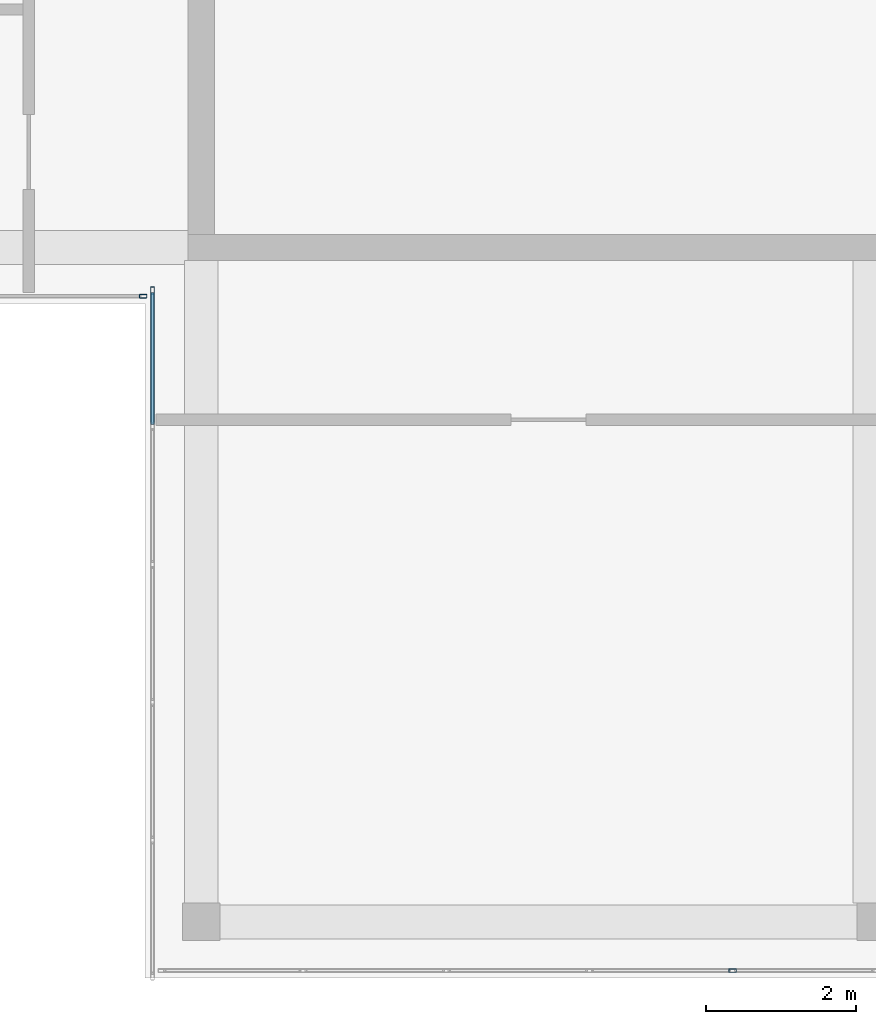
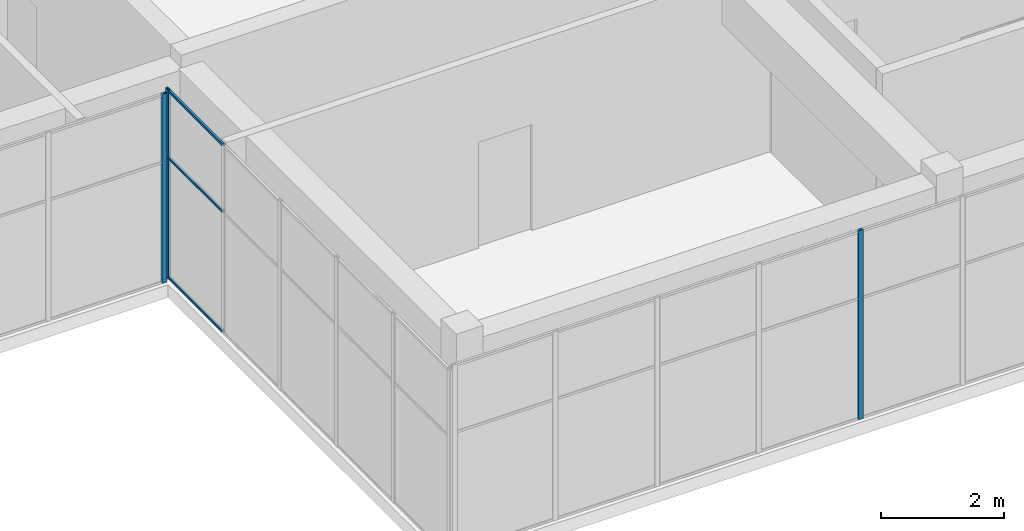
# One storey, part 6 of 34: 6 members, 3 elements without a shape of their own.
"""IFC4 building model written with IfcOpenShell, lengths in metres."""

from ifc_helpers import new_model, si_unit, direction, frame, origin, origin_2d, place, context, subcontext, project, spatial, hollow_rectangle, extrude, material, layer, layer_set, material_profile, profile_set, type_object, element, aggregate, save


model = new_model("IFC4")

# Units and contexts
model_context = context("Model", 3, precision=1e-05, world=origin(), true_north=direction((0.0, 1.0)))
body_context = subcontext(model_context, "Body", "Model", "MODEL_VIEW")
ifc_project = project(units=[si_unit("LENGTHUNIT", "METRE"), si_unit("AREAUNIT", "SQUARE_METRE"), si_unit("VOLUMEUNIT", "CUBIC_METRE"), si_unit("PLANEANGLEUNIT", "RADIAN"), si_unit("MASSUNIT", "GRAM", prefix="KILO")], contexts=[model_context])

# Site, building, storey
site_placement = place(None, origin())
site = spatial("IfcSite", under=ifc_project, at=site_placement, CompositionType="ELEMENT")
building_placement = place(site_placement, origin())
building = spatial("IfcBuilding", under=site, at=building_placement, Name="Tuart Plaza Theatre", CompositionType="ELEMENT")
storey_placement = place(building_placement, frame((0.0, 0.0, 57.5)))
storey = spatial("IfcBuildingStorey", under=building, at=storey_placement, Name="L14", CompositionType="ELEMENT", Elevation=57.5)

# Curtain wall, member
ifc_material_1 = material(Name="Aluminium and glass", Category="aluminium")
ifc_layer = layer(ifc_material_1, 0.10009765625)
ifc_layer_set = layer_set([ifc_layer], Name="CURTAIN WALL 2000 module")
curtain_wall_type = type_object("IfcCurtainWallType", Name="CURTAIN WALL 2000 module", PredefinedType="NOTDEFINED", material=ifc_layer_set)
curtain_wall_1_placement = place(storey_placement, origin())
curtain_wall_1 = element("IfcCurtainWall", 1, at=curtain_wall_1_placement, inside=storey, type_object=curtain_wall_type, Name="CW120", PredefinedType="NOTDEFINED")
ifc_material_2 = material(Name="Aluminium 6063-T5", Category="aluminium")
ifc_material_profile_1 = material_profile(ifc_material_2, hollow_rectangle(XDim=0.050048828125, YDim=0.10009765625, WallThickness=0.00390625, InnerFilletRadius=0.00390625, OuterFilletRadius=0.008056640625, at=origin_2d()), Name="RHS 100x50x4")
ifc_profile_set_1 = profile_set([ifc_material_profile_1], Name="Aluminium 6063-T5")
member_type_1 = type_object("IfcMemberType", Name="MULLION RHS 100x50x4", PredefinedType="MULLION", material=ifc_profile_set_1)
member_1_placement = place(storey_placement, frame((122.22509765625, 64.35009765625, 0.0), z_axis=(0.0, 0.0, 1.0), x_axis=(0.0, 1.0, 0.0)))
member_1 = element("IfcMember", 2, at=member_1_placement, type_object=member_type_1, Name="CW120 mullion 5", PredefinedType="MULLION", context=body_context, shape_type="SweptSolid", body=[
    extrude(hollow_rectangle(XDim=0.050048828125, YDim=0.10009765625, WallThickness=0.00390625, InnerFilletRadius=0.00390625, OuterFilletRadius=0.008056640625, at=origin_2d()), origin(), (0.0, 0.0, 1.0), 3.75),
])
aggregate(curtain_wall_1, [member_1])

curtain_wall_2_placement = place(storey_placement, origin())
curtain_wall_2 = element("IfcCurtainWall", 3, at=curtain_wall_2_placement, inside=storey, type_object=curtain_wall_type, Name="CW121", PredefinedType="NOTDEFINED")
member_2_placement = place(storey_placement, frame((122.35009765625, 64.425048828125, 0.0), z_axis=(0.0, 0.0, 1.0), x_axis=(1.0, 0.0, 0.0)))
member_2 = element("IfcMember", 4, at=member_2_placement, type_object=member_type_1, Name="CW121 mullion 1", PredefinedType="MULLION", context=body_context, shape_type="SweptSolid", body=[
    extrude(hollow_rectangle(XDim=0.050048828125, YDim=0.10009765625, WallThickness=0.00390625, InnerFilletRadius=0.00390625, OuterFilletRadius=0.008056640625, at=origin_2d()), origin(), (0.0, 0.0, 1.0), 3.75),
])

curtain_wall_3_placement = place(storey_placement, origin())
curtain_wall_3 = element("IfcCurtainWall", 5, at=curtain_wall_3_placement, inside=storey, type_object=curtain_wall_type, Name="CW122", PredefinedType="NOTDEFINED")
member_3_placement = place(storey_placement, frame((130.090087890625, 55.35009765625, 0.0), z_axis=(0.0, 0.0, 1.0), x_axis=(0.0, 1.0, 0.0)))
member_3 = element("IfcMember", 6, at=member_3_placement, type_object=member_type_1, Name="CW122 mullion 5", PredefinedType="MULLION", context=body_context, shape_type="SweptSolid", body=[
    extrude(hollow_rectangle(XDim=0.050048828125, YDim=0.10009765625, WallThickness=0.00390625, InnerFilletRadius=0.00390625, OuterFilletRadius=0.008056640625, at=origin_2d()), origin(), (0.0, 0.0, 1.0), 3.75),
])
aggregate(curtain_wall_3, [member_3])

# Member
ifc_material_3 = material(Name="Aluminium 6063-T5", Category="aluminium")
ifc_material_profile_2 = material_profile(ifc_material_3, hollow_rectangle(XDim=0.050048828125, YDim=0.050048828125, WallThickness=0.00390625, InnerFilletRadius=0.00390625, OuterFilletRadius=0.008056640625, at=origin_2d()), Name="RHS 50x50x4")
ifc_profile_set_2 = profile_set([ifc_material_profile_2], Name="Aluminium 6063-T5")
member_type_2 = type_object("IfcMemberType", Name="TRANSOM RHS 50x50x4", PredefinedType="USERDEFINED", material=ifc_profile_set_2)
member_4_placement = place(storey_placement, frame((122.35009765625, 64.39990234375, 0.02490234375), z_axis=(0.0, -1.0, 0.0), x_axis=(1.0, 0.0, 0.0)))
member_4 = element("IfcMember", 7, at=member_4_placement, type_object=member_type_2, Name="CW121 transom 1.1", ObjectType="TRANSOM", PredefinedType="USERDEFINED", context=body_context, shape_type="SweptSolid", body=[
    extrude(hollow_rectangle(XDim=0.050048828125, YDim=0.050048828125, WallThickness=0.00390625, InnerFilletRadius=0.00390625, OuterFilletRadius=0.008056640625, at=origin_2d()), origin(), (0.0, 0.0, 1.0), 1.764892578125),
])

member_5_placement = place(storey_placement, frame((122.35009765625, 64.39990234375, 2.39990234375), z_axis=(0.0, -1.0, 0.0), x_axis=(1.0, 0.0, 0.0)))
member_5 = element("IfcMember", 8, at=member_5_placement, type_object=member_type_2, Name="CW121 transom 1.2", ObjectType="TRANSOM", PredefinedType="USERDEFINED", context=body_context, shape_type="SweptSolid", body=[
    extrude(hollow_rectangle(XDim=0.050048828125, YDim=0.050048828125, WallThickness=0.00390625, InnerFilletRadius=0.00390625, OuterFilletRadius=0.008056640625, at=origin_2d()), origin(), (0.0, 0.0, 1.0), 1.764892578125),
])

member_6_placement = place(storey_placement, frame((122.35009765625, 64.39990234375, 3.72509765625), z_axis=(0.0, -1.0, 0.0), x_axis=(1.0, 0.0, 0.0)))
member_6 = element("IfcMember", 9, at=member_6_placement, type_object=member_type_2, Name="CW121 transom 1.3", ObjectType="TRANSOM", PredefinedType="USERDEFINED", context=body_context, shape_type="SweptSolid", body=[
    extrude(hollow_rectangle(XDim=0.050048828125, YDim=0.050048828125, WallThickness=0.00390625, InnerFilletRadius=0.00390625, OuterFilletRadius=0.008056640625, at=origin_2d()), origin(), (0.0, 0.0, 1.0), 1.764892578125),
])

aggregate(curtain_wall_2, [member_2, member_4, member_5, member_6])

save(model, "model.ifc")
